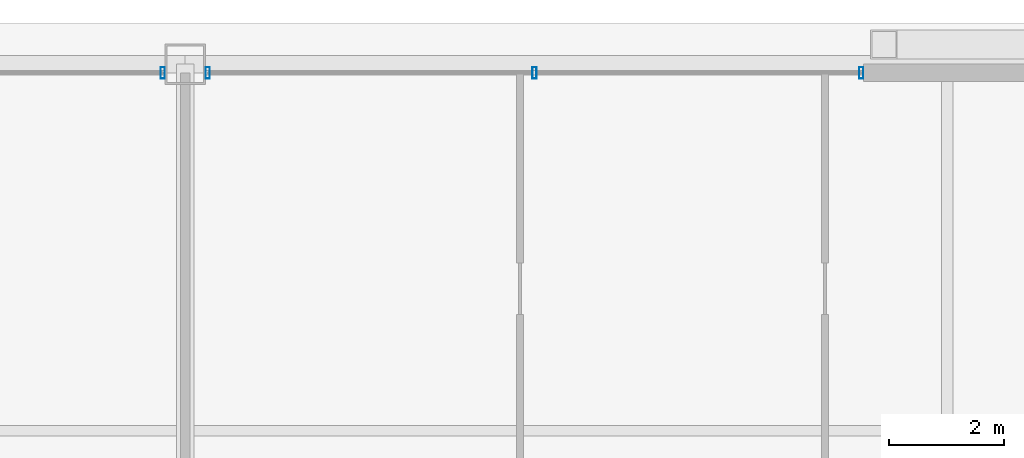
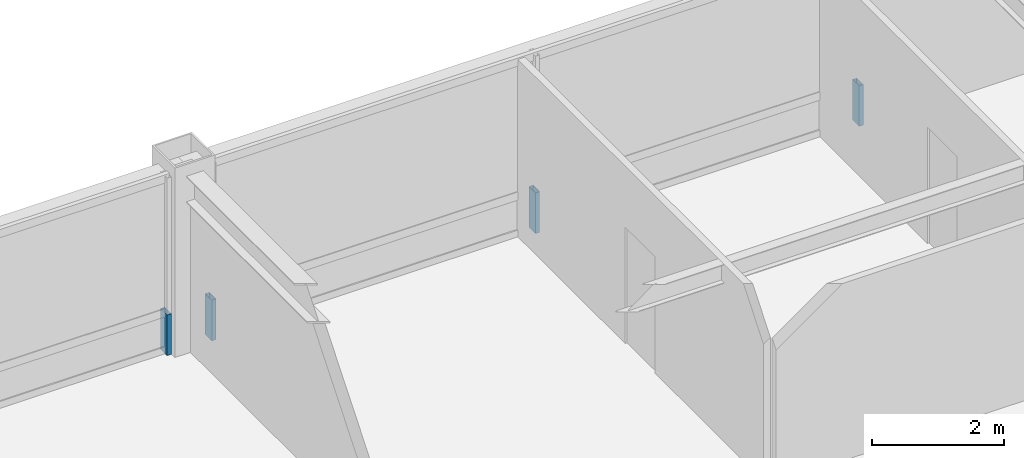
# One storey, part 27 of 35: 4 members, 2 elements without a shape of their own.
"""IFC4 building model written with IfcOpenShell, lengths in metres."""

import ifcopenshell
import ifcopenshell.guid

model = None  # the IFC model being written
_history = None  # IfcOwnerHistory: only IFC2X3 demands one
_inside = {}  # id of a spatial element -> (the spatial element, [elements in it])
_under = {}  # id of a project, library or spatial element -> (it, [spatial elements below it])
_declared = {}  # id of a project -> (the project, [libraries it declares])
_typed = {}  # id of a type object -> (the type object, [elements of that type])
_made_of = {}  # id of a material, layer set ... -> (it, [elements and type objects made of it])


def new_model(schema):
    """Start an empty IFC model of exactly this schema.

    Asked for "IFC4X3", IfcOpenShell would pick the latest addendum, in which some entities
    have other attributes; the version numbers below select the first issue.
    IFC2X3 requires an IfcOwnerHistory on every rooted entity: one is made here for all.
    """
    global model, _history
    if schema == "IFC4X3":
        model = ifcopenshell.file(schema_version=(4, 3, 0, 0))
    else:
        model = ifcopenshell.file(schema=schema)
    _inside.clear()
    _under.clear()
    _declared.clear()
    _typed.clear()
    _made_of.clear()
    _history = None
    if model.schema == "IFC2X3":
        org = make("IfcOrganization", Name="unknown")
        user = make(
            "IfcPersonAndOrganization",
            ThePerson=make("IfcPerson", FamilyName="unknown"),
            TheOrganization=org,
        )
        app = make(
            "IfcApplication",
            ApplicationDeveloper=org,
            Version="unknown",
            ApplicationFullName="unknown",
            ApplicationIdentifier="unknown",
        )
        _history = make(
            "IfcOwnerHistory",
            OwningUser=user,
            OwningApplication=app,
            ChangeAction="ADDED",
            CreationDate=0,
        )
    return model


def make(cls, **values):
    """One entity of the class cls with the attributes given. An attribute that is None is left unset."""
    return model.create_entity(
        cls, **{name: value for name, value in values.items() if value is not None}
    )


def rooted(cls, **values):
    """An entity with a GlobalId (a new one), such as an element, a storey or a relation."""
    return make(cls, GlobalId=ifcopenshell.guid.new(), OwnerHistory=_history, **values)


def si_unit(unit_type, name, prefix=None):
    """IfcSIUnit, for example si_unit("LENGTHUNIT", "METRE", prefix="MILLI")."""
    return make("IfcSIUnit", UnitType=unit_type, Prefix=prefix, Name=name)


def assignment(units):
    """IfcUnitAssignment: the units of a project."""
    return None if units is None else make("IfcUnitAssignment", Units=units)


def point(xyz):
    """IfcCartesianPoint."""
    return None if xyz is None else make("IfcCartesianPoint", Coordinates=xyz)


def direction(xyz):
    """IfcDirection."""
    return None if xyz is None else make("IfcDirection", DirectionRatios=xyz)


def frame(location, z_axis=None, x_axis=None):
    """IfcAxis2Placement3D, a coordinate frame: its origin and axes. An axis left out is left unset."""
    return make(
        "IfcAxis2Placement3D",
        Location=point(location),
        Axis=direction(z_axis),
        RefDirection=direction(x_axis),
    )


def frame_2d(location, x_axis=None):
    """IfcAxis2Placement2D, a coordinate frame in the plane: its origin and x axis."""
    return make(
        "IfcAxis2Placement2D", Location=point(location), RefDirection=direction(x_axis)
    )


def origin():
    """The frame at (0, 0, 0) with its axes left unset."""
    return frame((0.0, 0.0, 0.0))


def origin_2d():
    """The frame at (0, 0) in the plane with its x axis left unset."""
    return frame_2d((0.0, 0.0))


def place(relative_to, where):
    """IfcLocalPlacement: puts the frame where relative to a parent placement (None: the world)."""
    return make(
        "IfcLocalPlacement", PlacementRelTo=relative_to, RelativePlacement=where
    )


def context(
    kind, dimensions, precision=None, world=None, true_north=None, identifier=None
):
    """IfcGeometricRepresentationContext, for example the 3D "Model" context."""
    return make(
        "IfcGeometricRepresentationContext",
        ContextIdentifier=identifier,
        ContextType=kind,
        CoordinateSpaceDimension=dimensions,
        Precision=precision,
        WorldCoordinateSystem=world,
        TrueNorth=true_north,
    )


def subcontext(parent, identifier, kind, view, scale=None):
    """IfcGeometricRepresentationSubContext, for example "Body" below "Model"."""
    return make(
        "IfcGeometricRepresentationSubContext",
        ContextIdentifier=identifier,
        ContextType=kind,
        ParentContext=parent,
        TargetScale=scale,
        TargetView=view,
    )


def project(units=None, contexts=None):
    """IfcProject with its units and contexts."""
    return rooted(
        "IfcProject",
        Name="project",
        RepresentationContexts=contexts,
        UnitsInContext=assignment(units),
    )


def spatial(cls, under=None, at=None, **own):
    """A site, building, storey or space (cls), placed at a placement, below another one or the project."""
    s = rooted(cls, ObjectPlacement=at, **own)
    if under is not None:
        _under.setdefault(under.id(), (under, []))[1].append(s)
    return s


def profile(cls, at=None, kind="AREA", **sizes):
    """A parametric profile (cls). Its sizes go by their IFC names, for example OverallWidth=200.0."""
    return make(cls, ProfileType=kind, Position=at, **sizes)


def hollow_rectangle(**sizes):
    """IfcRectangleHollowProfileDef."""
    return profile("IfcRectangleHollowProfileDef", **sizes)


def extrude(swept, where, along, depth):
    """IfcExtrudedAreaSolid: the profile swept, set in the frame where, extruded along a direction by depth."""
    return make(
        "IfcExtrudedAreaSolid",
        SweptArea=swept,
        Position=where,
        ExtrudedDirection=direction(along),
        Depth=depth,
    )


def shape(context_of_items, identifier, shape_type, items):
    """IfcShapeRepresentation: the items that make up one representation, for example the "Body"."""
    return make(
        "IfcShapeRepresentation",
        ContextOfItems=context_of_items,
        RepresentationIdentifier=identifier,
        RepresentationType=shape_type,
        Items=items,
    )


def source(mapping_origin, context_of_items, identifier, shape_type, items):
    """IfcRepresentationMap: a shape defined once, which mapped items show again and again."""
    return make(
        "IfcRepresentationMap",
        MappingOrigin=mapping_origin,
        MappedRepresentation=shape(context_of_items, identifier, shape_type, items),
    )


def transform(
    local_origin,
    x_axis=None,
    y_axis=None,
    z_axis=None,
    scale=None,
    scale2=None,
    scale3=None,
    uniform=True,
):
    """IfcCartesianTransformationOperator3D, or its non-uniform kind. x_axis, y_axis, z_axis: its Axis1, 2, 3."""
    if uniform:
        return make(
            "IfcCartesianTransformationOperator3D",
            Axis1=direction(x_axis),
            Axis2=direction(y_axis),
            LocalOrigin=point(local_origin),
            Scale=scale,
            Axis3=direction(z_axis),
        )
    return make(
        "IfcCartesianTransformationOperator3DnonUniform",
        Axis1=direction(x_axis),
        Axis2=direction(y_axis),
        LocalOrigin=point(local_origin),
        Scale=scale,
        Axis3=direction(z_axis),
        Scale2=scale2,
        Scale3=scale3,
    )


def mapped(mapping_source, mapping_target):
    """IfcMappedItem: shows the shape of a source again, moved by a transform."""
    return make(
        "IfcMappedItem", MappingSource=mapping_source, MappingTarget=mapping_target
    )


def material(Name=None, Category=None):
    """IfcMaterial."""
    return make("IfcMaterial", Name=Name, Category=Category)


def layer(
    of_material, thickness, ventilated=None, Name=None, Category=None, Priority=None
):
    """IfcMaterialLayer: one layer of a wall or slab, of a material (None: an air gap)."""
    return make(
        "IfcMaterialLayer",
        Material=of_material,
        LayerThickness=thickness,
        IsVentilated=ventilated,
        Name=Name,
        Category=Category,
        Priority=Priority,
    )


def layer_set(layers, Name=None):
    """IfcMaterialLayerSet."""
    return make("IfcMaterialLayerSet", MaterialLayers=layers, LayerSetName=Name)


def material_profile(
    of_material, cross_section, Name=None, Category=None, Priority=None
):
    """IfcMaterialProfile: a cross section and its material."""
    return make(
        "IfcMaterialProfile",
        Name=Name,
        Material=of_material,
        Profile=cross_section,
        Priority=Priority,
        Category=Category,
    )


def profile_set(profiles, Name=None, composite=None):
    """IfcMaterialProfileSet."""
    return make(
        "IfcMaterialProfileSet",
        Name=Name,
        MaterialProfiles=profiles,
        CompositeProfile=composite,
    )


def made_of(thing, what):
    """Note that an element or type object is made of a material, layer set ...; save() writes the relation."""
    if what is not None:
        _made_of.setdefault(what.id(), (what, []))[1].append(thing)
    return thing


def type_object(cls, material=None, **own):
    """A type object (cls), such as IfcWallType, which elements share."""
    return made_of(rooted(cls, **own), material)


def element(
    cls,
    number,
    at=None,
    inside=None,
    cuts=None,
    type_object=None,
    material=None,
    context=None,
    identifier="Body",
    shape_type=None,
    held_by="IfcProductDefinitionShape",
    body=None,
    shapes=None,
    **own,
):
    """One element of the class cls, such as IfcWall. Its Tag is "e" and its number.

    at: its placement. inside: the storey or other place that contains it. cuts: it is an
    opening in that element (IfcRelVoidsElement). A single representation is given by context,
    identifier, shape_type and body (its items); several are given by shapes. held_by: the class
    of the entity that holds the representations. save() writes the other relations.
    """
    e = rooted(cls, Tag="e%d" % number, ObjectPlacement=at, **own)
    if body is not None:
        shapes = [shape(context, identifier, shape_type, body)]
    if shapes is not None:
        e.Representation = make(held_by, Representations=shapes)
    if inside is not None:
        _inside.setdefault(inside.id(), (inside, []))[1].append(e)
    if cuts is not None:
        rooted(
            "IfcRelVoidsElement", RelatingBuildingElement=cuts, RelatedOpeningElement=e
        )
    if type_object is not None:
        _typed.setdefault(type_object.id(), (type_object, []))[1].append(e)
    return made_of(e, material)


def aggregate(whole, parts):
    """IfcRelAggregates: a whole, such as a stair, and the parts it consists of."""
    return rooted("IfcRelAggregates", RelatingObject=whole, RelatedObjects=parts)


def save(model, path):
    """Write the relations noted so far, then the file.

    IfcRelAggregates (storeys below a building ...), IfcRelContainedInSpatialStructure (elements
    in a storey), IfcRelDefinesByType, IfcRelAssociatesMaterial and IfcRelDeclares: one each for
    every whole, place, type object, material and project.
    """
    for whole, parts in _under.values():
        aggregate(whole, parts)
    for where, things in _inside.values():
        rooted(
            "IfcRelContainedInSpatialStructure",
            RelatedElements=things,
            RelatingStructure=where,
        )
    for kind, things in _typed.values():
        rooted("IfcRelDefinesByType", RelatedObjects=things, RelatingType=kind)
    for what, things in _made_of.values():
        rooted("IfcRelAssociatesMaterial", RelatedObjects=things, RelatingMaterial=what)
    for by, libraries in _declared.values():
        rooted("IfcRelDeclares", RelatingContext=by, RelatedDefinitions=libraries)
    model.write(path)


model = new_model("IFC4")

# Units and contexts
model_context = context("Model", 3, precision=1e-05, world=origin(), true_north=direction((0.0, 1.0)))
body_context = subcontext(model_context, "Body", "Model", "MODEL_VIEW")
ifc_project = project(units=[si_unit("LENGTHUNIT", "METRE"), si_unit("AREAUNIT", "SQUARE_METRE"), si_unit("VOLUMEUNIT", "CUBIC_METRE"), si_unit("PLANEANGLEUNIT", "RADIAN"), si_unit("MASSUNIT", "GRAM", prefix="KILO"), si_unit("THERMODYNAMICTEMPERATUREUNIT", "KELVIN"), si_unit("POWERUNIT", "WATT")], contexts=[model_context])

# Site, building, storey
site_placement = place(None, origin())
site = spatial("IfcSite", under=ifc_project, at=site_placement, CompositionType="ELEMENT")
building_placement = place(site_placement, origin())
building = spatial("IfcBuilding", under=site, at=building_placement, Name="Yuzanri Waterfront Tower", CompositionType="ELEMENT")
storey_placement = place(building_placement, frame((0.0, 0.0, 314.699951171875)))
storey = spatial("IfcBuildingStorey", under=building, at=storey_placement, Name="L84", CompositionType="ELEMENT", Elevation=314.699951171875)

# Curtain wall, member
ifc_material_1 = material(Name="Anodized Architectural Bronze", Category="metal")
ifc_layer = layer(ifc_material_1, 0.159912109375)
ifc_layer_set = layer_set([ifc_layer], Name="Anodized Architectural Bronze")
curtain_wall_type = type_object("IfcCurtainWallType", Name="Anodized Bronze High-Rise Penthouse High-Wind Unitized Curtain Wall 6900", PredefinedType="NOTDEFINED", material=ifc_layer_set)
curtain_wall_1_placement = place(storey_placement, origin())
curtain_wall_1 = element("IfcCurtainWall", 1, at=curtain_wall_1_placement, inside=storey, type_object=curtain_wall_type, Name="L84 Curtain Wall CW-L84-NL", PredefinedType="NOTDEFINED")
ifc_material_2 = material(Name="Anodized Architectural Bronze", Category="metal")
ifc_material_profile = material_profile(ifc_material_2, hollow_rectangle(XDim=0.074951171875, YDim=0.199951171875, WallThickness=0.00390625, at=origin_2d()), Name="CWM 75x200")
ifc_profile_set = profile_set([ifc_material_profile], Name="Anodized Architectural Bronze")
member_type = type_object("IfcMemberType", Name="Anodized Bronze Primary Curtain-Wall Mullion 75x200", PredefinedType="MULLION", material=ifc_profile_set)
shared_shape = source(origin(), body_context, "Body", "SweptSolid", [
    extrude(hollow_rectangle(XDim=0.074951171875, YDim=0.199951171875, WallThickness=0.00390625, at=origin_2d()), origin(), (0.0, 0.0, 1.0), 0.751953125),
])
member_1_placement = place(storey_placement, frame((36.610107421875, 44.75, 0.0), z_axis=(0.0, 0.0, 1.0), x_axis=(1.0, 0.0, 0.0)))
member_1 = element("IfcMember", 2, at=member_1_placement, type_object=member_type, Name="CW-L84-NL Lower Mullion 02", PredefinedType="MULLION", context=body_context, shape_type="MappedRepresentation", body=[
    mapped(shared_shape, transform((0.0, 0.0, 0.0), scale=1.0)),
])
aggregate(curtain_wall_1, [member_1])

# Curtain wall, members
curtain_wall_2_placement = place(storey_placement, origin())
curtain_wall_2 = element("IfcCurtainWall", 3, at=curtain_wall_2_placement, inside=storey, type_object=curtain_wall_type, Name="L84 Curtain Wall CW-L84-NR", PredefinedType="NOTDEFINED")
member_2_placement = place(storey_placement, frame((37.389892578125, 44.75, 0.0), z_axis=(0.0, 0.0, 1.0), x_axis=(1.0, 0.0, 0.0)))
member_2 = element("IfcMember", 4, at=member_2_placement, type_object=member_type, Name="CW-L84-NR Lower Mullion 00", PredefinedType="MULLION", context=body_context, shape_type="MappedRepresentation", body=[
    mapped(shared_shape, transform((0.0, 0.0, 0.0), scale=1.0)),
])
member_3_placement = place(storey_placement, frame((43.050048828125, 44.75, 0.0), z_axis=(0.0, 0.0, 1.0), x_axis=(1.0, 0.0, 0.0)))
member_3 = element("IfcMember", 5, at=member_3_placement, type_object=member_type, Name="CW-L84-NR Lower Mullion 01", PredefinedType="MULLION", context=body_context, shape_type="MappedRepresentation", body=[
    mapped(shared_shape, transform((0.0, 0.0, 0.0), scale=1.0)),
])
member_4_placement = place(storey_placement, frame((48.7099609375, 44.75, 0.0), z_axis=(0.0, 0.0, 1.0), x_axis=(1.0, 0.0, 0.0)))
member_4 = element("IfcMember", 6, at=member_4_placement, type_object=member_type, Name="CW-L84-NR Lower Mullion 02", PredefinedType="MULLION", context=body_context, shape_type="MappedRepresentation", body=[
    mapped(shared_shape, transform((0.0, 0.0, 0.0), scale=1.0)),
])
aggregate(curtain_wall_2, [member_2, member_3, member_4])

save(model, "model.ifc")
